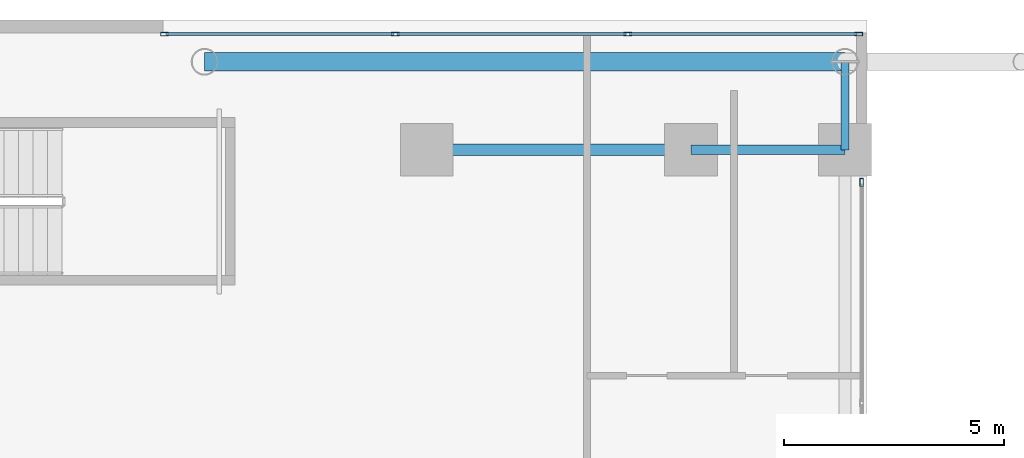
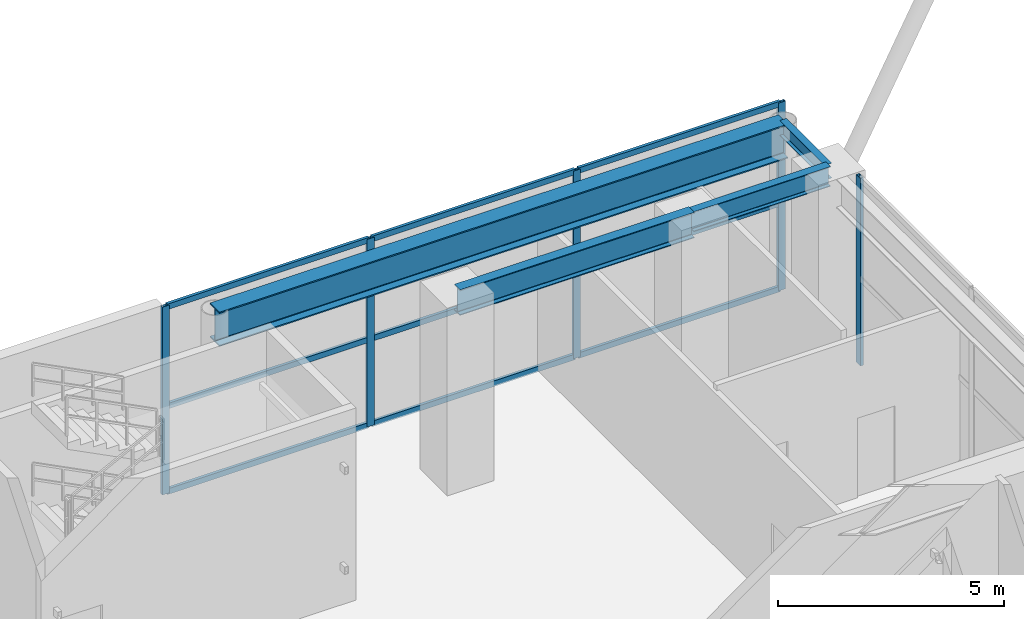
# One storey, part 13 of 29: 14 members, 4 beams, 2 elements without a shape of their own.
"""IFC4 building model written with IfcOpenShell, lengths in metres."""

from ifc_helpers import new_model, si_unit, direction, frame, origin, origin_2d, place, context, subcontext, project, spatial, hollow_rectangle, i_section, extrude, source, transform, mapped, material, layer, layer_set, material_profile, profile_set, type_object, element, aggregate, save


model = new_model("IFC4")

# Units and contexts
model_context = context("Model", 3, precision=1e-05, world=origin(), true_north=direction((0.0, 1.0)))
body_context = subcontext(model_context, "Body", "Model", "MODEL_VIEW")
ifc_project = project(units=[si_unit("LENGTHUNIT", "METRE"), si_unit("AREAUNIT", "SQUARE_METRE"), si_unit("VOLUMEUNIT", "CUBIC_METRE"), si_unit("PLANEANGLEUNIT", "RADIAN"), si_unit("MASSUNIT", "GRAM", prefix="KILO")], contexts=[model_context])

# Site, building, storey
site_placement = place(None, origin())
site = spatial("IfcSite", under=ifc_project, at=site_placement, CompositionType="ELEMENT")
building_placement = place(site_placement, origin())
building = spatial("IfcBuilding", under=site, at=building_placement, Name="Ocotamira Hotel", CompositionType="ELEMENT")
storey_placement = place(building_placement, frame((0.0, 0.0, 6.0)))
storey = spatial("IfcBuildingStorey", under=building, at=storey_placement, Name="L02", CompositionType="ELEMENT", Elevation=6.0)

# Beams
ifc_material_1 = material(Name="Steel ASTM A992 Grade 50", Category="steel")
ifc_material_profile_1 = material_profile(ifc_material_1, i_section(OverallWidth=0.41796875, OverallDepth=0.927001953125, WebThickness=0.019287109375, FlangeThickness=0.031982421875, FilletRadius=0.02392578125, at=origin_2d()), Name="W36X231")
ifc_profile_set_1 = profile_set([ifc_material_profile_1], Name="Steel ASTM A992 Grade 50")
beam_type_1 = type_object("IfcBeamType", Name="BM-GIRD-W36X231", PredefinedType="BEAM", material=ifc_profile_set_1)
shared_shape_1 = source(origin(), body_context, "Body", "SweptSolid", [
    extrude(i_section(OverallWidth=0.41796875, OverallDepth=0.927001953125, WebThickness=0.019287109375, FlangeThickness=0.031982421875, FilletRadius=0.02392578125, at=origin_2d()), origin(), (0.0, 0.0, 1.0), 14.550048828125),
])
beam_1_placement = place(storey_placement, frame((8.949951171875, 51.050048828125, 4.616455078125), z_axis=(1.0, 0.0, 0.0), x_axis=(0.0, 1.0, 0.0)))
element("IfcBeam", 1, at=beam_1_placement, inside=storey, type_object=beam_type_1, Name="L02 Girder Y51.05 X8.95-23.5", PredefinedType="BEAM", context=body_context, shape_type="MappedRepresentation", body=[
    mapped(shared_shape_1, transform((0.0, 0.0, 0.0), scale=1.0)),
])
ifc_material_profile_2 = material_profile(ifc_material_1, i_section(OverallWidth=0.256103515625, OverallDepth=0.693115234375, WebThickness=0.014404296875, FlangeThickness=0.023681640625, FilletRadius=0.01611328125, at=origin_2d()), Name="W27X114")
ifc_profile_set_2 = profile_set([ifc_material_profile_2], Name="Steel ASTM A992 Grade 50")
beam_type_2 = type_object("IfcBeamType", Name="BM-PRIM-W27X114", PredefinedType="BEAM", material=ifc_profile_set_2)
shared_shape_2 = source(origin(), body_context, "Body", "SweptSolid", [
    extrude(i_section(OverallWidth=0.256103515625, OverallDepth=0.693115234375, WebThickness=0.014404296875, FlangeThickness=0.023681640625, FilletRadius=0.01611328125, at=origin_2d()), origin(), (0.0, 0.0, 1.0), 6.0),
])
beam_2_placement = place(storey_placement, frame((14.0, 49.050048828125, 4.7333984375), z_axis=(1.0, 0.0, 0.0), x_axis=(0.0, 1.0, 0.0)))
element("IfcBeam", 2, at=beam_2_placement, inside=storey, type_object=beam_type_2, Name="L02 Girder Y49.05 X14-20", PredefinedType="BEAM", context=body_context, shape_type="MappedRepresentation", body=[
    mapped(shared_shape_2, transform((0.0, 0.0, 0.0), scale=1.0)),
])
ifc_material_profile_3 = material_profile(ifc_material_1, i_section(OverallWidth=0.2099609375, OverallDepth=0.537109375, WebThickness=0.010986328125, FlangeThickness=0.017333984375, FilletRadius=0.012939453125, at=origin_2d()), Name="W21X68")
ifc_profile_set_3 = profile_set([ifc_material_profile_3], Name="Steel ASTM A992 Grade 50")
beam_type_3 = type_object("IfcBeamType", Name="BM-SEC-W21X68", PredefinedType="JOIST", material=ifc_profile_set_3)
shared_shape_3 = source(origin(), body_context, "Body", "SweptSolid", [
    extrude(i_section(OverallWidth=0.2099609375, OverallDepth=0.537109375, WebThickness=0.010986328125, FlangeThickness=0.017333984375, FilletRadius=0.012939453125, at=origin_2d()), origin(), (0.0, 0.0, 1.0), 3.5),
])
beam_3_placement = place(storey_placement, frame((20.0, 49.050048828125, 4.8115234375), z_axis=(1.0, 0.0, 0.0), x_axis=(0.0, 1.0, 0.0)))
element("IfcBeam", 3, at=beam_3_placement, inside=storey, type_object=beam_type_3, Name="L02 Girder Y49.05 X20-23.5", PredefinedType="JOIST", context=body_context, shape_type="MappedRepresentation", body=[
    mapped(shared_shape_3, transform((0.0, 0.0, 0.0), scale=1.0)),
])
ifc_material_profile_4 = material_profile(ifc_material_1, i_section(OverallWidth=0.177978515625, OverallDepth=0.403076171875, WebThickness=0.007568359375, FlangeThickness=0.010986328125, FilletRadius=0.010009765625, at=origin_2d()), Name="W16X36")
ifc_profile_set_4 = profile_set([ifc_material_profile_4], Name="Steel ASTM A992 Grade 50")
beam_type_4 = type_object("IfcBeamType", Name="BM-SEC-W16X36", PredefinedType="JOIST", material=ifc_profile_set_4)
shared_shape_4 = source(origin(), body_context, "Body", "SweptSolid", [
    extrude(i_section(OverallWidth=0.177978515625, OverallDepth=0.403076171875, WebThickness=0.007568359375, FlangeThickness=0.010986328125, FilletRadius=0.010009765625, at=origin_2d()), origin(), (0.0, 0.0, 1.0), 2.0),
])
beam_4_placement = place(storey_placement, frame((23.5, 49.050048828125, 4.87841796875), z_axis=(0.0, 1.0, 0.0), x_axis=(-1.0, 0.0, 0.0)))
element("IfcBeam", 4, at=beam_4_placement, inside=storey, type_object=beam_type_4, Name="L02 Beam X23.5 Y49.05-51.05", PredefinedType="JOIST", context=body_context, shape_type="MappedRepresentation", body=[
    mapped(shared_shape_4, transform((0.0, 0.0, 0.0), scale=1.0)),
])

# Curtain wall, members
ifc_material_2 = material(Name="Anodised pale-metal aluminium and solar glass", Category="aluminium")
ifc_layer = layer(ifc_material_2, 0.219970703125)
ifc_layer_set = layer_set([ifc_layer], Name="Anodised pale-metal aluminium and solar glass")
curtain_wall_type = type_object("IfcCurtainWallType", Name="CW-SYS1-POD", PredefinedType="NOTDEFINED", material=ifc_layer_set)
curtain_wall_1_placement = place(storey_placement, origin())
curtain_wall_1 = element("IfcCurtainWall", 5, at=curtain_wall_1_placement, inside=storey, type_object=curtain_wall_type, Name="L02 Curtain Wall CW-1 CW-L02-NW", PredefinedType="NOTDEFINED")
ifc_material_3 = material(Name="Anodised pale-metal aluminium 6063-T6", Category="aluminium")
ifc_material_profile_5 = material_profile(ifc_material_3, hollow_rectangle(XDim=0.080078125, YDim=0.179931640625, WallThickness=0.006103515625, at=origin_2d()), Name="HSS180X80X6")
ifc_profile_set_5 = profile_set([ifc_material_profile_5], Name="Anodised pale-metal aluminium 6063-T6")
member_type_1 = type_object("IfcMemberType", Name="CWM-180X75", PredefinedType="MULLION", material=ifc_profile_set_5)
shared_shape_5 = source(origin(), body_context, "Body", "SweptSolid", [
    extrude(hollow_rectangle(XDim=0.080078125, YDim=0.179931640625, WallThickness=0.006103515625, at=origin_2d()), origin(), (0.0, 0.0, 1.0), 5.080078125),
])
member_1_placement = place(storey_placement, frame((8.0400390625, 51.679931640625, 0.0), z_axis=(0.0, 0.0, 1.0), x_axis=(0.0, 1.0, 0.0)))
member_1 = element("IfcMember", 6, at=member_1_placement, type_object=member_type_1, Name="CW-1 mullion 1", PredefinedType="MULLION", context=body_context, shape_type="MappedRepresentation", body=[
    mapped(shared_shape_5, transform((0.0, 0.0, 0.0), scale=1.0)),
])
member_2_placement = place(storey_placement, frame((13.283447265625, 51.679931640625, 0.0), z_axis=(0.0, 0.0, 1.0), x_axis=(0.0, 1.0, 0.0)))
member_2 = element("IfcMember", 7, at=member_2_placement, type_object=member_type_1, Name="CW-1 mullion 2", PredefinedType="MULLION", context=body_context, shape_type="MappedRepresentation", body=[
    mapped(shared_shape_5, transform((0.0, 0.0, 0.0), scale=1.0)),
])
member_3_placement = place(storey_placement, frame((18.566650390625, 51.679931640625, 0.0), z_axis=(0.0, 0.0, 1.0), x_axis=(0.0, 1.0, 0.0)))
member_3 = element("IfcMember", 8, at=member_3_placement, type_object=member_type_1, Name="CW-1 mullion 3", PredefinedType="MULLION", context=body_context, shape_type="MappedRepresentation", body=[
    mapped(shared_shape_5, transform((0.0, 0.0, 0.0), scale=1.0)),
])
member_4_placement = place(storey_placement, frame((23.81005859375, 51.679931640625, 0.0), z_axis=(0.0, 0.0, 1.0), x_axis=(0.0, 1.0, 0.0)))
member_4 = element("IfcMember", 9, at=member_4_placement, type_object=member_type_1, Name="CW-1 mullion 4", PredefinedType="MULLION", context=body_context, shape_type="MappedRepresentation", body=[
    mapped(shared_shape_5, transform((0.0, 0.0, 0.0), scale=1.0)),
])

# Curtain wall, member
curtain_wall_2_placement = place(storey_placement, origin())
curtain_wall_2 = element("IfcCurtainWall", 10, at=curtain_wall_2_placement, inside=storey, type_object=curtain_wall_type, Name="L02 Curtain Wall CW-1 CW-L02-AW-N", PredefinedType="NOTDEFINED")
member_5_placement = place(storey_placement, frame((23.8798828125, 48.31005859375, 0.0), z_axis=(0.0, 0.0, 1.0), x_axis=(-1.0, 0.0, 0.0)))
member_5 = element("IfcMember", 11, at=member_5_placement, type_object=member_type_1, Name="CW-1 mullion 3", PredefinedType="MULLION", context=body_context, shape_type="MappedRepresentation", body=[
    mapped(shared_shape_5, transform((0.0, 0.0, 0.0), scale=1.0)),
])
aggregate(curtain_wall_2, [member_5])

# Member
ifc_material_profile_6 = material_profile(ifc_material_3, hollow_rectangle(XDim=0.074951171875, YDim=0.14990234375, WallThickness=0.006103515625, at=origin_2d()), Name="HSS150X75X6")
ifc_profile_set_6 = profile_set([ifc_material_profile_6], Name="Anodised pale-metal aluminium 6063-T6")
member_type_2 = type_object("IfcMemberType", Name="CWT-150X75", PredefinedType="USERDEFINED", material=ifc_profile_set_6)
shared_shape_6 = source(origin(), body_context, "Body", "SweptSolid", [
    extrude(hollow_rectangle(XDim=0.074951171875, YDim=0.14990234375, WallThickness=0.006103515625, at=origin_2d()), origin(), (0.0, 0.0, 1.0), 5.163330078125),
])
member_6_placement = place(storey_placement, frame((8.080078125, 51.679931640625, 0.03759765625), z_axis=(1.0, 0.0, 0.0), x_axis=(0.0, 1.0, 0.0)))
member_6 = element("IfcMember", 12, at=member_6_placement, type_object=member_type_2, Name="CW-1 transom 1.1", ObjectType="TRANSOM", PredefinedType="USERDEFINED", context=body_context, shape_type="MappedRepresentation", body=[
    mapped(shared_shape_6, transform((0.0, 0.0, 0.0), scale=1.0)),
])

member_7_placement = place(storey_placement, frame((8.080078125, 51.679931640625, 2.35009765625), z_axis=(1.0, 0.0, 0.0), x_axis=(0.0, 1.0, 0.0)))
member_7 = element("IfcMember", 13, at=member_7_placement, type_object=member_type_2, Name="CW-1 transom 1.2", ObjectType="TRANSOM", PredefinedType="USERDEFINED", context=body_context, shape_type="MappedRepresentation", body=[
    mapped(shared_shape_6, transform((0.0, 0.0, 0.0), scale=1.0)),
])

member_8_placement = place(storey_placement, frame((8.080078125, 51.679931640625, 5.04248046875), z_axis=(1.0, 0.0, 0.0), x_axis=(0.0, 1.0, 0.0)))
member_8 = element("IfcMember", 14, at=member_8_placement, type_object=member_type_2, Name="CW-1 transom 1.3", ObjectType="TRANSOM", PredefinedType="USERDEFINED", context=body_context, shape_type="MappedRepresentation", body=[
    mapped(shared_shape_6, transform((0.0, 0.0, 0.0), scale=1.0)),
])

member_9_placement = place(storey_placement, frame((18.606689453125, 51.679931640625, 0.03759765625), z_axis=(1.0, 0.0, 0.0), x_axis=(0.0, 1.0, 0.0)))
member_9 = element("IfcMember", 15, at=member_9_placement, type_object=member_type_2, Name="CW-1 transom 3.1", ObjectType="TRANSOM", PredefinedType="USERDEFINED", context=body_context, shape_type="MappedRepresentation", body=[
    mapped(shared_shape_6, transform((0.0, 0.0, 0.0), scale=1.0)),
])

member_10_placement = place(storey_placement, frame((18.606689453125, 51.679931640625, 2.35009765625), z_axis=(1.0, 0.0, 0.0), x_axis=(0.0, 1.0, 0.0)))
member_10 = element("IfcMember", 16, at=member_10_placement, type_object=member_type_2, Name="CW-1 transom 3.2", ObjectType="TRANSOM", PredefinedType="USERDEFINED", context=body_context, shape_type="MappedRepresentation", body=[
    mapped(shared_shape_6, transform((0.0, 0.0, 0.0), scale=1.0)),
])

member_11_placement = place(storey_placement, frame((18.606689453125, 51.679931640625, 5.04248046875), z_axis=(1.0, 0.0, 0.0), x_axis=(0.0, 1.0, 0.0)))
member_11 = element("IfcMember", 17, at=member_11_placement, type_object=member_type_2, Name="CW-1 transom 3.3", ObjectType="TRANSOM", PredefinedType="USERDEFINED", context=body_context, shape_type="MappedRepresentation", body=[
    mapped(shared_shape_6, transform((0.0, 0.0, 0.0), scale=1.0)),
])

shared_shape_7 = source(origin(), body_context, "Body", "SweptSolid", [
    extrude(hollow_rectangle(XDim=0.074951171875, YDim=0.14990234375, WallThickness=0.006103515625, at=origin_2d()), origin(), (0.0, 0.0, 1.0), 5.203369140625),
])
member_12_placement = place(storey_placement, frame((13.3232421875, 51.679931640625, 0.03759765625), z_axis=(1.0, 0.0, 0.0), x_axis=(0.0, 1.0, 0.0)))
member_12 = element("IfcMember", 18, at=member_12_placement, type_object=member_type_2, Name="CW-1 transom 2.1", ObjectType="TRANSOM", PredefinedType="USERDEFINED", context=body_context, shape_type="MappedRepresentation", body=[
    mapped(shared_shape_7, transform((0.0, 0.0, 0.0), scale=1.0)),
])

member_13_placement = place(storey_placement, frame((13.3232421875, 51.679931640625, 2.35009765625), z_axis=(1.0, 0.0, 0.0), x_axis=(0.0, 1.0, 0.0)))
member_13 = element("IfcMember", 19, at=member_13_placement, type_object=member_type_2, Name="CW-1 transom 2.2", ObjectType="TRANSOM", PredefinedType="USERDEFINED", context=body_context, shape_type="MappedRepresentation", body=[
    mapped(shared_shape_7, transform((0.0, 0.0, 0.0), scale=1.0)),
])

member_14_placement = place(storey_placement, frame((13.3232421875, 51.679931640625, 5.04248046875), z_axis=(1.0, 0.0, 0.0), x_axis=(0.0, 1.0, 0.0)))
member_14 = element("IfcMember", 20, at=member_14_placement, type_object=member_type_2, Name="CW-1 transom 2.3", ObjectType="TRANSOM", PredefinedType="USERDEFINED", context=body_context, shape_type="MappedRepresentation", body=[
    mapped(shared_shape_7, transform((0.0, 0.0, 0.0), scale=1.0)),
])

aggregate(curtain_wall_1, [member_1, member_2, member_3, member_4, member_6, member_7, member_8, member_12, member_13, member_14, member_9, member_10, member_11])

save(model, "model.ifc")
